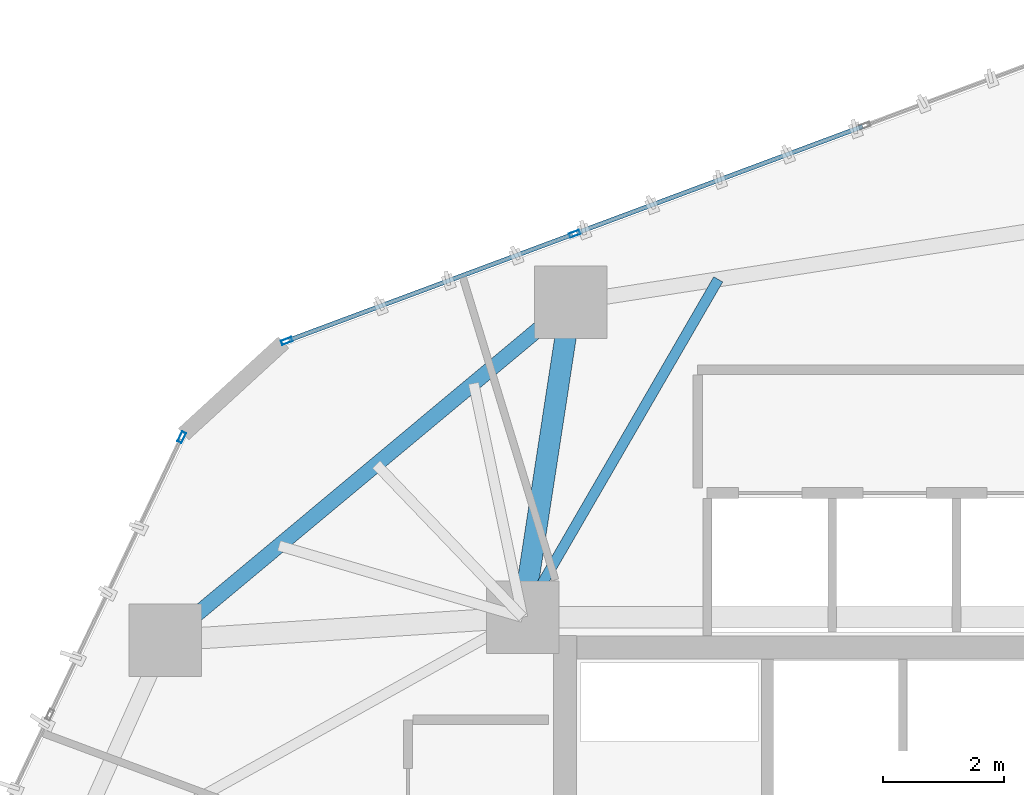
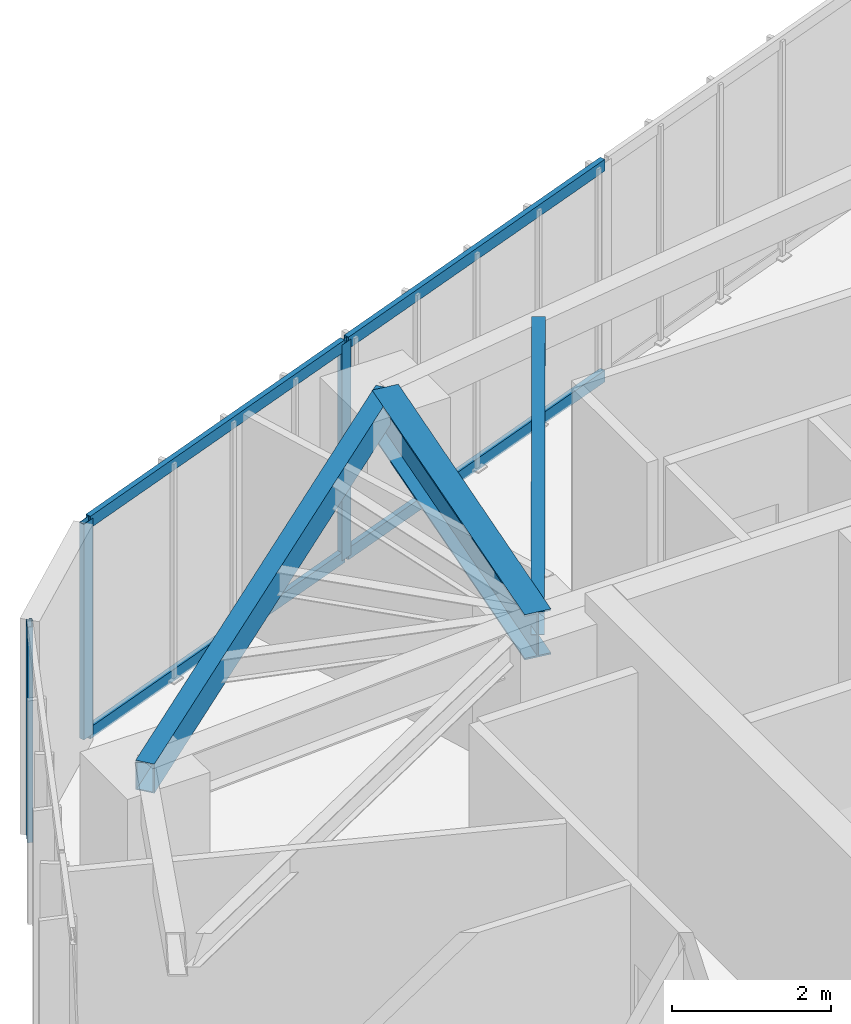
# One storey, part 12 of 22: 7 members, 3 beams, 2 elements without a shape of their own.
"""IFC4 building model written with IfcOpenShell, lengths in metres."""

from ifc_helpers import new_model, si_unit, direction, frame, origin, origin_2d, place, context, subcontext, project, spatial, hollow_rectangle, i_section, extrude, source, transform, mapped, material, layer, layer_set, material_profile, profile_set, type_object, type_shapes, element, aggregate, save


model = new_model("IFC4")

# Units and contexts
model_context = context("Model", 3, precision=1e-05, world=origin(), true_north=direction((0.0, 1.0)))
body_context = subcontext(model_context, "Body", "Model", "MODEL_VIEW")
ifc_project = project(units=[si_unit("LENGTHUNIT", "METRE"), si_unit("AREAUNIT", "SQUARE_METRE"), si_unit("VOLUMEUNIT", "CUBIC_METRE"), si_unit("PLANEANGLEUNIT", "RADIAN"), si_unit("MASSUNIT", "GRAM", prefix="KILO")], contexts=[model_context])

# Site, building, storey
site_placement = place(None, origin())
site = spatial("IfcSite", under=ifc_project, at=site_placement, CompositionType="ELEMENT")
building_placement = place(site_placement, origin())
building = spatial("IfcBuilding", under=site, at=building_placement, Name="Talar Marvaseh", CompositionType="ELEMENT")
storey_placement = place(building_placement, frame((0.0, 0.0, 150.60009765625)))
storey = spatial("IfcBuildingStorey", under=building, at=storey_placement, Name="L39", CompositionType="ELEMENT", Elevation=150.60009765625)

# Beams
ifc_material_1 = material(Name="Steel S355", Category="steel")
ifc_material_profile_1 = material_profile(ifc_material_1, hollow_rectangle(XDim=0.25, YDim=0.449951171875, WallThickness=0.01611328125, at=origin_2d()), Name="RHS450x250x16")
ifc_profile_set_1 = profile_set([ifc_material_profile_1], Name="Steel S355")
beam_type_1 = type_object("IfcBeamType", Name="Zone 2 Perimeter Spandrel Beam RHS450x250x16", PredefinedType="SPANDREL", material=ifc_profile_set_1)
beam_1_placement = place(storey_placement, frame((12.780029296875, 36.51708984375, 3.0849609375), z_axis=(0.76793081465, 0.640532796905, 0.0), x_axis=(-0.640532796905, 0.76793081465, 0.0)))
element("IfcBeam", 1, at=beam_1_placement, inside=storey, type_object=beam_type_1, Name="L39 Zone 2 Perimeter Spandrel Beam RHS450x250x16", PredefinedType="SPANDREL", context=body_context, shape_type="SweptSolid", body=[
    extrude(hollow_rectangle(XDim=0.25, YDim=0.449951171875, WallThickness=0.01611328125, at=origin_2d()), origin(), (0.0, 0.0, 1.0), 8.751953125),
])
ifc_material_profile_2 = material_profile(ifc_material_1, i_section(OverallWidth=0.35498046875, OverallDepth=0.695068359375, WebThickness=0.015380859375, FlangeThickness=0.02490234375, at=origin_2d()), Name="W690x217")
ifc_profile_set_2 = profile_set([ifc_material_profile_2], Name="Steel S355")
beam_type_2 = type_object("IfcBeamType", Name="Zone 2 Radial Floor Girder W690x217", PredefinedType="BEAM", material=ifc_profile_set_2)
beam_2_placement = place(storey_placement, frame((19.5009765625, 42.123046875, 2.96240234375), z_axis=(-0.151588471466, -0.98844369355, 0.0), x_axis=(0.98844369355, -0.151588471466, 0.0)))
element("IfcBeam", 2, at=beam_2_placement, inside=storey, type_object=beam_type_2, Name="L39 Zone 2 Radial Floor Girder W690x217", PredefinedType="BEAM", context=body_context, shape_type="SweptSolid", body=[
    extrude(i_section(OverallWidth=0.35498046875, OverallDepth=0.695068359375, WebThickness=0.015380859375, FlangeThickness=0.02490234375, at=origin_2d()), origin(), (0.0, 0.0, 1.0), 5.2841796875),
])
ifc_material_profile_3 = material_profile(ifc_material_1, i_section(OverallWidth=0.172119140625, OverallDepth=0.35791015625, WebThickness=0.0078125, FlangeThickness=0.01318359375, at=origin_2d()), Name="W360x57")
ifc_profile_set_3 = profile_set([ifc_material_profile_3], Name="Steel S355")
beam_type_3 = type_object("IfcBeamType", Name="Zone 2 Secondary Floor Joist W360x57", PredefinedType="JOIST", material=ifc_profile_set_3)
beam_3_placement = place(storey_placement, frame((21.94287109375, 42.500732421875, 3.130859375), z_axis=(-0.501074932228, -0.865403901246, 0.0), x_axis=(0.865403901246, -0.501074932228, 0.0)))
element("IfcBeam", 3, at=beam_3_placement, inside=storey, type_object=beam_type_3, Name="L39 Zone 2 Secondary Floor Joist W360x57", PredefinedType="JOIST", context=body_context, shape_type="SweptSolid", body=[
    extrude(i_section(OverallWidth=0.172119140625, OverallDepth=0.35791015625, WebThickness=0.0078125, FlangeThickness=0.01318359375, at=origin_2d()), origin(), (0.0, 0.0, 1.0), 6.471923828125),
])

# Curtain wall, members
ifc_material_2 = material(Name="Architectural Aluminium", Category="aluminium")
ifc_layer = layer(ifc_material_2, 0.199951171875)
ifc_layer_set = layer_set([ifc_layer], Name="Architectural Aluminium")
curtain_wall_type = type_object("IfcCurtainWallType", Name="Unitised Acoustic Library Curtain Wall Z2", PredefinedType="NOTDEFINED", material=ifc_layer_set)
curtain_wall_1_placement = place(storey_placement, origin())
curtain_wall_1 = element("IfcCurtainWall", 4, at=curtain_wall_1_placement, inside=storey, type_object=curtain_wall_type, Name="L39 Unitised Acoustic Library Curtain Wall Z2", PredefinedType="NOTDEFINED")
ifc_material_profile_4 = material_profile(ifc_material_2, hollow_rectangle(XDim=0.074951171875, YDim=0.179931640625, WallThickness=0.0048828125, at=origin_2d()), Name="RHS180x75x5")
ifc_profile_set_4 = profile_set([ifc_material_profile_4], Name="Architectural Aluminium")
member_type_1 = type_object("IfcMemberType", Name="Unitised Curtain Wall Transom RHS180x75x5", PredefinedType="USERDEFINED", material=ifc_profile_set_4)
shared_shape_1 = source(origin(), body_context, "Body", "SweptSolid", [
    extrude(hollow_rectangle(XDim=0.074951171875, YDim=0.179931640625, WallThickness=0.0048828125, at=origin_2d()), origin(), (0.0, 0.0, 1.0), 5.017578125),
])
member_1_placement = place(storey_placement, frame((14.826416015625, 41.49169921875, 0.037353515625), z_axis=(0.937080866375, 0.349112374279, 0.0), x_axis=(-0.349112374279, 0.937080866375, 0.0)))
member_1 = element("IfcMember", 5, at=member_1_placement, type_object=member_type_1, Name="CW-Z2 transom 1.1", ObjectType="TRANSOM", PredefinedType="USERDEFINED", context=body_context, shape_type="MappedRepresentation", body=[
    mapped(shared_shape_1, transform((0.0, 0.0, 0.0), x_axis=(1.0, 0.0, 0.0), y_axis=(0.0, 1.0, 0.0), z_axis=(0.0, 0.0, 1.0), scale=1.0)),
])
member_2_placement = place(storey_placement, frame((14.826416015625, 41.49169921875, 3.2724609375), z_axis=(0.937080866375, 0.349112374279, 0.0), x_axis=(-0.349112374279, 0.937080866375, 0.0)))
member_2 = element("IfcMember", 6, at=member_2_placement, type_object=member_type_1, Name="CW-Z2 transom 1.2", ObjectType="TRANSOM", PredefinedType="USERDEFINED", context=body_context, shape_type="MappedRepresentation", body=[
    mapped(shared_shape_1, transform((0.0, 0.0, 0.0), x_axis=(1.0, 0.0, 0.0), y_axis=(0.0, 1.0, 0.0), z_axis=(0.0, 0.0, 1.0), scale=1.0)),
])
shared_shape_2 = source(origin(), body_context, "Body", "SweptSolid", [
    extrude(hollow_rectangle(XDim=0.074951171875, YDim=0.179931640625, WallThickness=0.0048828125, at=origin_2d()), origin(), (0.0, 0.0, 1.0), 5.05517578125),
])
type_shapes(member_type_1, [shared_shape_1, shared_shape_2])
member_3_placement = place(storey_placement, frame((19.598388671875, 43.26953125, 0.037353515625), z_axis=(0.937091098724, 0.34908490757, 0.0), x_axis=(-0.34908490757, 0.937091098724, 0.0)))
member_3 = element("IfcMember", 7, at=member_3_placement, type_object=member_type_1, Name="CW-Z2 transom 2.1", ObjectType="TRANSOM", PredefinedType="USERDEFINED", context=body_context, shape_type="MappedRepresentation", body=[
    mapped(shared_shape_2, transform((0.0, 0.0, 0.0), x_axis=(1.0, 0.0, 0.0), y_axis=(0.0, 1.0, 0.0), z_axis=(0.0, 0.0, 1.0), scale=1.0)),
])
member_4_placement = place(storey_placement, frame((19.598388671875, 43.26953125, 3.2724609375), z_axis=(0.937091098724, 0.34908490757, 0.0), x_axis=(-0.34908490757, 0.937091098724, 0.0)))
member_4 = element("IfcMember", 8, at=member_4_placement, type_object=member_type_1, Name="CW-Z2 transom 2.2", ObjectType="TRANSOM", PredefinedType="USERDEFINED", context=body_context, shape_type="MappedRepresentation", body=[
    mapped(shared_shape_2, transform((0.0, 0.0, 0.0), x_axis=(1.0, 0.0, 0.0), y_axis=(0.0, 1.0, 0.0), z_axis=(0.0, 0.0, 1.0), scale=1.0)),
])

# Curtain wall, member
curtain_wall_2_placement = place(storey_placement, origin())
curtain_wall_2 = element("IfcCurtainWall", 9, at=curtain_wall_2_placement, inside=storey, type_object=curtain_wall_type, Name="L39 Unitised Acoustic Library Curtain Wall Z2", PredefinedType="NOTDEFINED")
ifc_material_profile_5 = material_profile(ifc_material_2, hollow_rectangle(XDim=0.074951171875, YDim=0.179931640625, WallThickness=0.0048828125, at=origin_2d()), Name="RHS180x75x5")
ifc_profile_set_5 = profile_set([ifc_material_profile_5], Name="Architectural Aluminium")
member_type_2 = type_object("IfcMemberType", Name="Unitised Curtain Wall Standard Mullion RHS180x75x5", PredefinedType="MULLION", material=ifc_profile_set_5)
shared_shape_3 = source(origin(), body_context, "Body", "SweptSolid", [
    extrude(hollow_rectangle(XDim=0.074951171875, YDim=0.179931640625, WallThickness=0.0048828125, at=origin_2d()), origin(), (0.0, 0.0, 1.0), 3.309814453125),
])
type_shapes(member_type_2, [shared_shape_3])
member_5_placement = place(storey_placement, frame((13.051513671875, 39.884521484375, 0.0), z_axis=(0.0, 0.0, 1.0), x_axis=(-0.903095669982, 0.429439414656, 0.0)))
member_5 = element("IfcMember", 10, at=member_5_placement, type_object=member_type_2, Name="CW-Z2 mullion 4", PredefinedType="MULLION", context=body_context, shape_type="MappedRepresentation", body=[
    mapped(shared_shape_3, transform((0.0, 0.0, 0.0), x_axis=(1.0, 0.0, 0.0), y_axis=(0.0, 1.0, 0.0), z_axis=(0.0, 0.0, 1.0), scale=1.0)),
])
aggregate(curtain_wall_2, [member_5])

# Member
member_6_placement = place(storey_placement, frame((14.791259765625, 41.478759765625, 0.0), z_axis=(0.0, 0.0, 1.0), x_axis=(-0.349096045274, 0.937086949634, 0.0)))
member_6 = element("IfcMember", 11, at=member_6_placement, type_object=member_type_2, Name="CW-Z2 mullion 1", PredefinedType="MULLION", context=body_context, shape_type="MappedRepresentation", body=[
    mapped(shared_shape_3, transform((0.0, 0.0, 0.0), x_axis=(1.0, 0.0, 0.0), y_axis=(0.0, 1.0, 0.0), z_axis=(0.0, 0.0, 1.0), scale=1.0)),
])

member_7_placement = place(storey_placement, frame((19.5634765625, 43.25634765625, 0.0), z_axis=(0.0, 0.0, 1.0), x_axis=(-0.349096045274, 0.937086949634, 0.0)))
member_7 = element("IfcMember", 12, at=member_7_placement, type_object=member_type_2, Name="CW-Z2 mullion 2", PredefinedType="MULLION", context=body_context, shape_type="MappedRepresentation", body=[
    mapped(shared_shape_3, transform((0.0, 0.0, 0.0), x_axis=(1.0, 0.0, 0.0), y_axis=(0.0, 1.0, 0.0), z_axis=(0.0, 0.0, 1.0), scale=1.0)),
])

aggregate(curtain_wall_1, [member_6, member_7, member_1, member_2, member_3, member_4])

save(model, "model.ifc")
